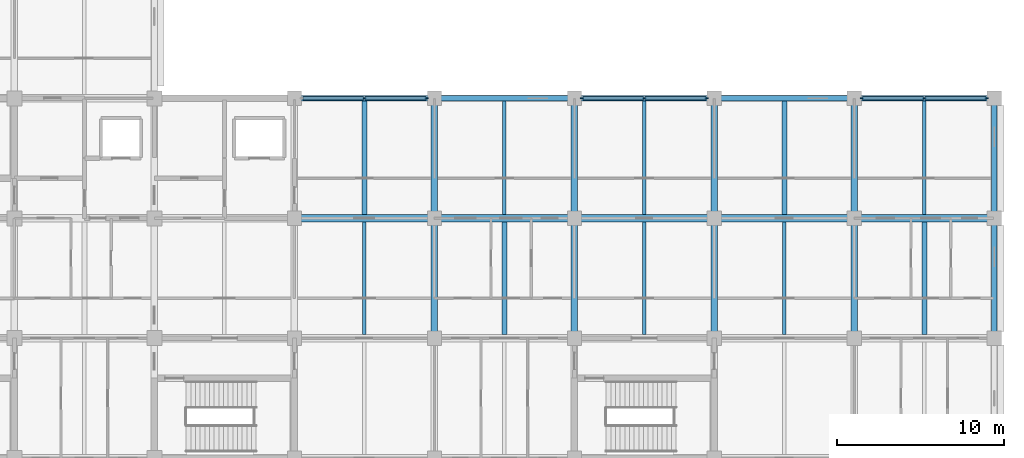
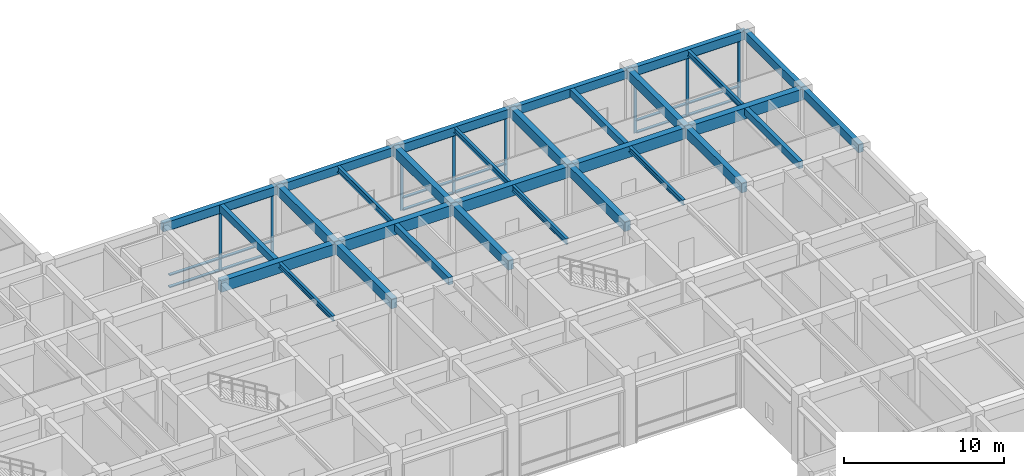
# One storey, part 28 of 68: 30 beams, 26 members, 3 elements without a shape of their own.
"""IFC4 building model written with IfcOpenShell, lengths in metres."""

from ifc_helpers import new_model, si_unit, direction, frame, origin, origin_2d, place, context, subcontext, project, spatial, rectangle, i_section, extrude, material, layer, layer_set, material_profile, profile_set, type_object, element, aggregate, save


model = new_model("IFC4")

# Units and contexts
model_context = context("Model", 3, precision=1e-05, world=origin(), true_north=direction((0.0, 1.0)))
body_context = subcontext(model_context, "Body", "Model", "MODEL_VIEW")
ifc_project = project(units=[si_unit("LENGTHUNIT", "METRE"), si_unit("AREAUNIT", "SQUARE_METRE"), si_unit("VOLUMEUNIT", "CUBIC_METRE"), si_unit("PLANEANGLEUNIT", "RADIAN"), si_unit("MASSUNIT", "GRAM", prefix="KILO")], contexts=[model_context])

# Site, building, storey
site_placement = place(None, origin())
site = spatial("IfcSite", under=ifc_project, at=site_placement, CompositionType="ELEMENT")
building_placement = place(site_placement, origin())
building = spatial("IfcBuilding", under=site, at=building_placement, Name="Chengyuan Square Courthouse", CompositionType="ELEMENT")
storey_placement = place(building_placement, frame((0.0, 0.0, 5.39990234375)))
storey = spatial("IfcBuildingStorey", under=building, at=storey_placement, Name="L02", CompositionType="ELEMENT", Elevation=5.39990234375)

# Beams
ifc_material_1 = material(Name="Concrete C40", Category="concrete")
ifc_material_profile_1 = material_profile(ifc_material_1, rectangle(XDim=0.449951171875, YDim=0.85009765625, at=origin_2d()), Name="RC-BM-450x850")
ifc_profile_set_1 = profile_set([ifc_material_profile_1], Name="Concrete C40")
beam_type_1 = type_object("IfcBeamType", Name="BM-01", PredefinedType="USERDEFINED", material=ifc_profile_set_1)
beam_1_placement = place(storey_placement, frame((126.0, 100.800048828125, 4.695068359375), z_axis=(1.0, 0.0, 0.0), x_axis=(0.0, 1.0, 0.0)))
element("IfcBeam", 1, at=beam_1_placement, inside=storey, type_object=beam_type_1, Name="Girder BM-L02-2194", ObjectType="GIRDER", PredefinedType="USERDEFINED", context=body_context, shape_type="SweptSolid", body=[
    extrude(rectangle(XDim=0.449951171875, YDim=0.85009765625, at=origin_2d()), origin(), (0.0, 0.0, 1.0), 8.39990234375),
])
beam_2_placement = place(storey_placement, frame((134.39990234375, 100.800048828125, 4.695068359375), z_axis=(1.0, 0.0, 0.0), x_axis=(0.0, 1.0, 0.0)))
element("IfcBeam", 2, at=beam_2_placement, inside=storey, type_object=beam_type_1, Name="Girder BM-L02-2195", ObjectType="GIRDER", PredefinedType="USERDEFINED", context=body_context, shape_type="SweptSolid", body=[
    extrude(rectangle(XDim=0.449951171875, YDim=0.85009765625, at=origin_2d()), origin(), (0.0, 0.0, 1.0), 8.400146484375),
])
beam_3_placement = place(storey_placement, frame((142.800048828125, 100.800048828125, 4.695068359375), z_axis=(1.0, 0.0, 0.0), x_axis=(0.0, 1.0, 0.0)))
element("IfcBeam", 3, at=beam_3_placement, inside=storey, type_object=beam_type_1, Name="Girder BM-L02-2196", ObjectType="GIRDER", PredefinedType="USERDEFINED", context=body_context, shape_type="SweptSolid", body=[
    extrude(rectangle(XDim=0.449951171875, YDim=0.85009765625, at=origin_2d()), origin(), (0.0, 0.0, 1.0), 8.39990234375),
])
beam_4_placement = place(storey_placement, frame((151.199951171875, 100.800048828125, 4.695068359375), z_axis=(1.0, 0.0, 0.0), x_axis=(0.0, 1.0, 0.0)))
element("IfcBeam", 4, at=beam_4_placement, inside=storey, type_object=beam_type_1, Name="Girder BM-L02-2197", ObjectType="GIRDER", PredefinedType="USERDEFINED", context=body_context, shape_type="SweptSolid", body=[
    extrude(rectangle(XDim=0.449951171875, YDim=0.85009765625, at=origin_2d()), origin(), (0.0, 0.0, 1.0), 8.400146484375),
])
beam_5_placement = place(storey_placement, frame((159.60009765625, 100.800048828125, 4.695068359375), z_axis=(1.0, 0.0, 0.0), x_axis=(0.0, 1.0, 0.0)))
element("IfcBeam", 5, at=beam_5_placement, inside=storey, type_object=beam_type_1, Name="Girder BM-L02-2198", ObjectType="GIRDER", PredefinedType="USERDEFINED", context=body_context, shape_type="SweptSolid", body=[
    extrude(rectangle(XDim=0.449951171875, YDim=0.85009765625, at=origin_2d()), origin(), (0.0, 0.0, 1.0), 8.39990234375),
])
ifc_material_profile_2 = material_profile(ifc_material_1, rectangle(XDim=0.39990234375, YDim=0.75, at=origin_2d()), Name="RC-BM-400x750")
ifc_profile_set_2 = profile_set([ifc_material_profile_2], Name="Concrete C40")
beam_type_2 = type_object("IfcBeamType", Name="BM-02", PredefinedType="USERDEFINED", material=ifc_profile_set_2)
for number, where, z_axis, x_axis, name in (
    (6, (134.39990234375, 93.60009765625, 4.7451171875), (0.0, 1.0, 0.0), (-1.0, 0.0, 0.0), "Girder BM-L02-2339"),
    (7, (134.39990234375, 100.800048828125, 4.7451171875), (0.0, 1.0, 0.0), (-1.0, 0.0, 0.0), "Girder BM-L02-2340"),
    (8, (142.800048828125, 93.60009765625, 4.7451171875), (0.0, 1.0, 0.0), (-1.0, 0.0, 0.0), "Girder BM-L02-2343"),
    (9, (142.800048828125, 100.800048828125, 4.7451171875), (0.0, 1.0, 0.0), (-1.0, 0.0, 0.0), "Girder BM-L02-2344"),
    (10, (151.199951171875, 93.60009765625, 4.7451171875), (0.0, 1.0, 0.0), (-1.0, 0.0, 0.0), "Girder BM-L02-2358"),
    (11, (151.199951171875, 100.800048828125, 4.7451171875), (0.0, 1.0, 0.0), (-1.0, 0.0, 0.0), "Girder BM-L02-2359"),
    (12, (159.60009765625, 93.60009765625, 4.7451171875), (0.0, 1.0, 0.0), (-1.0, 0.0, 0.0), "Girder BM-L02-2373"),
    (13, (159.60009765625, 100.800048828125, 4.7451171875), (0.0, 1.0, 0.0), (-1.0, 0.0, 0.0), "Girder BM-L02-2374"),
):
    element("IfcBeam", number, at=place(storey_placement, frame(where, z_axis=z_axis, x_axis=x_axis)), inside=storey, type_object=beam_type_2, Name=name, ObjectType="GIRDER", PredefinedType="USERDEFINED", context=body_context, shape_type="SweptSolid", body=[
        extrude(rectangle(XDim=0.39990234375, YDim=0.75, at=origin_2d()), origin(), (0.0, 0.0, 1.0), 7.199951171875),
    ])
ifc_material_profile_3 = material_profile(ifc_material_1, rectangle(XDim=0.35009765625, YDim=0.64990234375, at=origin_2d()), Name="RC-BM-350x650")
ifc_profile_set_3 = profile_set([ifc_material_profile_3], Name="Concrete C40")
beam_type_3 = type_object("IfcBeamType", Name="BM-03", PredefinedType="SPANDREL", material=ifc_profile_set_3)
beam_6_placement = place(storey_placement, frame((126.0, 108.0, 4.795166015625), z_axis=(1.0, 0.0, 0.0), x_axis=(0.0, 1.0, 0.0)))
element("IfcBeam", 14, at=beam_6_placement, inside=storey, type_object=beam_type_3, Name="Girder BM-L02-2214", PredefinedType="SPANDREL", context=body_context, shape_type="SweptSolid", body=[
    extrude(rectangle(XDim=0.35009765625, YDim=0.64990234375, at=origin_2d()), origin(), (0.0, 0.0, 1.0), 8.39990234375),
])
beam_7_placement = place(storey_placement, frame((134.39990234375, 108.0, 4.795166015625), z_axis=(1.0, 0.0, 0.0), x_axis=(0.0, 1.0, 0.0)))
element("IfcBeam", 15, at=beam_7_placement, inside=storey, type_object=beam_type_3, Name="Girder BM-L02-2215", PredefinedType="SPANDREL", context=body_context, shape_type="SweptSolid", body=[
    extrude(rectangle(XDim=0.35009765625, YDim=0.64990234375, at=origin_2d()), origin(), (0.0, 0.0, 1.0), 8.400146484375),
])
beam_8_placement = place(storey_placement, frame((142.800048828125, 108.0, 4.795166015625), z_axis=(1.0, 0.0, 0.0), x_axis=(0.0, 1.0, 0.0)))
element("IfcBeam", 16, at=beam_8_placement, inside=storey, type_object=beam_type_3, Name="Girder BM-L02-2216", PredefinedType="SPANDREL", context=body_context, shape_type="SweptSolid", body=[
    extrude(rectangle(XDim=0.35009765625, YDim=0.64990234375, at=origin_2d()), origin(), (0.0, 0.0, 1.0), 8.39990234375),
])
beam_9_placement = place(storey_placement, frame((151.199951171875, 108.0, 4.795166015625), z_axis=(1.0, 0.0, 0.0), x_axis=(0.0, 1.0, 0.0)))
element("IfcBeam", 17, at=beam_9_placement, inside=storey, type_object=beam_type_3, Name="Girder BM-L02-2217", PredefinedType="SPANDREL", context=body_context, shape_type="SweptSolid", body=[
    extrude(rectangle(XDim=0.35009765625, YDim=0.64990234375, at=origin_2d()), origin(), (0.0, 0.0, 1.0), 8.400146484375),
])
beam_10_placement = place(storey_placement, frame((159.60009765625, 108.0, 4.795166015625), z_axis=(1.0, 0.0, 0.0), x_axis=(0.0, 1.0, 0.0)))
element("IfcBeam", 18, at=beam_10_placement, inside=storey, type_object=beam_type_3, Name="Girder BM-L02-2218", PredefinedType="SPANDREL", context=body_context, shape_type="SweptSolid", body=[
    extrude(rectangle(XDim=0.35009765625, YDim=0.64990234375, at=origin_2d()), origin(), (0.0, 0.0, 1.0), 8.39990234375),
])
for number, where, z_axis, x_axis, name in (
    (19, (168.0, 93.60009765625, 4.795166015625), (0.0, 1.0, 0.0), (-1.0, 0.0, 0.0), "Girder BM-L02-2388"),
    (20, (168.0, 100.800048828125, 4.795166015625), (0.0, 1.0, 0.0), (-1.0, 0.0, 0.0), "Girder BM-L02-2389"),
):
    element("IfcBeam", number, at=place(storey_placement, frame(where, z_axis=z_axis, x_axis=x_axis)), inside=storey, type_object=beam_type_3, Name=name, PredefinedType="SPANDREL", context=body_context, shape_type="SweptSolid", body=[
        extrude(rectangle(XDim=0.35009765625, YDim=0.64990234375, at=origin_2d()), origin(), (0.0, 0.0, 1.0), 7.199951171875),
    ])
ifc_material_profile_4 = material_profile(ifc_material_1, rectangle(XDim=0.300048828125, YDim=0.550048828125, at=origin_2d()), Name="RC-BM-300x550")
ifc_profile_set_4 = profile_set([ifc_material_profile_4], Name="Concrete C40")
beam_type_4 = type_object("IfcBeamType", Name="BM-04", PredefinedType="BEAM", material=ifc_profile_set_4)
beam_11_placement = place(storey_placement, frame((130.199951171875, 101.02490234375, 4.84521484375), z_axis=(0.0, 1.0, 0.0), x_axis=(-1.0, 0.0, 0.0)))
element("IfcBeam", 21, at=beam_11_placement, inside=storey, type_object=beam_type_4, Name="Secondary Floor Beam SBM-L02-2471", PredefinedType="BEAM", context=body_context, shape_type="SweptSolid", body=[
    extrude(rectangle(XDim=0.300048828125, YDim=0.550048828125, at=origin_2d()), origin(), (0.0, 0.0, 1.0), 6.800048828125),
])
beam_12_placement = place(storey_placement, frame((138.60009765625, 93.824951171875, 4.84521484375), z_axis=(0.0, 1.0, 0.0), x_axis=(-1.0, 0.0, 0.0)))
element("IfcBeam", 22, at=beam_12_placement, inside=storey, type_object=beam_type_4, Name="Secondary Floor Beam SBM-L02-2474", PredefinedType="BEAM", context=body_context, shape_type="SweptSolid", body=[
    extrude(rectangle(XDim=0.300048828125, YDim=0.550048828125, at=origin_2d()), origin(), (0.0, 0.0, 1.0), 6.75),
])
beam_13_placement = place(storey_placement, frame((155.39990234375, 101.02490234375, 4.84521484375), z_axis=(0.0, 1.0, 0.0), x_axis=(-1.0, 0.0, 0.0)))
element("IfcBeam", 23, at=beam_13_placement, inside=storey, type_object=beam_type_4, Name="Secondary Floor Beam SBM-L02-2492", PredefinedType="BEAM", context=body_context, shape_type="SweptSolid", body=[
    extrude(rectangle(XDim=0.300048828125, YDim=0.550048828125, at=origin_2d()), origin(), (0.0, 0.0, 1.0), 6.800048828125),
])
beam_14_placement = place(storey_placement, frame((163.800048828125, 93.824951171875, 4.84521484375), z_axis=(0.0, 1.0, 0.0), x_axis=(-1.0, 0.0, 0.0)))
element("IfcBeam", 24, at=beam_14_placement, inside=storey, type_object=beam_type_4, Name="Secondary Floor Beam SBM-L02-2506", PredefinedType="BEAM", context=body_context, shape_type="SweptSolid", body=[
    extrude(rectangle(XDim=0.300048828125, YDim=0.550048828125, at=origin_2d()), origin(), (0.0, 0.0, 1.0), 6.75),
])
ifc_material_2 = material(Name="Steel Q355B", Category="steel")
ifc_material_profile_5 = material_profile(ifc_material_2, i_section(OverallWidth=0.199951171875, OverallDepth=0.449951171875, WebThickness=0.009033203125, FlangeThickness=0.013916015625, at=origin_2d()), Name="HN 450x200x9x14")
ifc_profile_set_5 = profile_set([ifc_material_profile_5], Name="Steel Q355B")
beam_type_5 = type_object("IfcBeamType", Name="BM-06", PredefinedType="BEAM", material=ifc_profile_set_5)
beam_15_placement = place(storey_placement, frame((138.60009765625, 101.02490234375, 4.89501953125), z_axis=(0.0, 1.0, 0.0), x_axis=(-1.0, 0.0, 0.0)))
element("IfcBeam", 25, at=beam_15_placement, inside=storey, type_object=beam_type_5, Name="Secondary Floor Beam SBM-L02-2475", PredefinedType="BEAM", context=body_context, shape_type="SweptSolid", body=[
    extrude(i_section(OverallWidth=0.199951171875, OverallDepth=0.449951171875, WebThickness=0.009033203125, FlangeThickness=0.013916015625, at=origin_2d()), origin(), (0.0, 0.0, 1.0), 6.800048828125),
])
beam_16_placement = place(storey_placement, frame((147.0, 93.824951171875, 4.89501953125), z_axis=(0.0, 1.0, 0.0), x_axis=(-1.0, 0.0, 0.0)))
element("IfcBeam", 26, at=beam_16_placement, inside=storey, type_object=beam_type_5, Name="Secondary Floor Beam SBM-L02-2477", PredefinedType="BEAM", context=body_context, shape_type="SweptSolid", body=[
    extrude(i_section(OverallWidth=0.199951171875, OverallDepth=0.449951171875, WebThickness=0.009033203125, FlangeThickness=0.013916015625, at=origin_2d()), origin(), (0.0, 0.0, 1.0), 6.75),
])
beam_17_placement = place(storey_placement, frame((163.800048828125, 101.02490234375, 4.89501953125), z_axis=(0.0, 1.0, 0.0), x_axis=(-1.0, 0.0, 0.0)))
element("IfcBeam", 27, at=beam_17_placement, inside=storey, type_object=beam_type_5, Name="Secondary Floor Beam SBM-L02-2507", PredefinedType="BEAM", context=body_context, shape_type="SweptSolid", body=[
    extrude(i_section(OverallWidth=0.199951171875, OverallDepth=0.449951171875, WebThickness=0.009033203125, FlangeThickness=0.013916015625, at=origin_2d()), origin(), (0.0, 0.0, 1.0), 6.800048828125),
])
ifc_material_profile_6 = material_profile(ifc_material_2, i_section(OverallWidth=0.199951171875, OverallDepth=0.39990234375, WebThickness=0.008056640625, FlangeThickness=0.012939453125, at=origin_2d()), Name="HN 400x200x8x13")
ifc_profile_set_6 = profile_set([ifc_material_profile_6], Name="Steel Q355B")
beam_type_6 = type_object("IfcBeamType", Name="BM-07", PredefinedType="BEAM", material=ifc_profile_set_6)
beam_18_placement = place(storey_placement, frame((130.199951171875, 93.824951171875, 4.920166015625), z_axis=(0.0, 1.0, 0.0), x_axis=(-1.0, 0.0, 0.0)))
element("IfcBeam", 28, at=beam_18_placement, inside=storey, type_object=beam_type_6, Name="Secondary Floor Beam SBM-L02-2470", PredefinedType="BEAM", context=body_context, shape_type="SweptSolid", body=[
    extrude(i_section(OverallWidth=0.199951171875, OverallDepth=0.39990234375, WebThickness=0.008056640625, FlangeThickness=0.012939453125, at=origin_2d()), origin(), (0.0, 0.0, 1.0), 6.75),
])
beam_19_placement = place(storey_placement, frame((147.0, 101.02490234375, 4.920166015625), z_axis=(0.0, 1.0, 0.0), x_axis=(-1.0, 0.0, 0.0)))
element("IfcBeam", 29, at=beam_19_placement, inside=storey, type_object=beam_type_6, Name="Secondary Floor Beam SBM-L02-2478", PredefinedType="BEAM", context=body_context, shape_type="SweptSolid", body=[
    extrude(i_section(OverallWidth=0.199951171875, OverallDepth=0.39990234375, WebThickness=0.008056640625, FlangeThickness=0.012939453125, at=origin_2d()), origin(), (0.0, 0.0, 1.0), 6.800048828125),
])
beam_20_placement = place(storey_placement, frame((155.39990234375, 93.824951171875, 4.920166015625), z_axis=(0.0, 1.0, 0.0), x_axis=(-1.0, 0.0, 0.0)))
element("IfcBeam", 30, at=beam_20_placement, inside=storey, type_object=beam_type_6, Name="Secondary Floor Beam SBM-L02-2491", PredefinedType="BEAM", context=body_context, shape_type="SweptSolid", body=[
    extrude(i_section(OverallWidth=0.199951171875, OverallDepth=0.39990234375, WebThickness=0.008056640625, FlangeThickness=0.012939453125, at=origin_2d()), origin(), (0.0, 0.0, 1.0), 6.75),
])

# Curtain wall, members
ifc_material_3 = material(Name="Unitised Aluminium and Triple Low-E Glass", Category="aluminium")
ifc_layer = layer(ifc_material_3, 0.219970703125)
ifc_layer_set = layer_set([ifc_layer], Name="Unitised Aluminium and Triple Low-E Glass")
curtain_wall_type = type_object("IfcCurtainWallType", Name="CW-04", PredefinedType="USERDEFINED", material=ifc_layer_set)
curtain_wall_1_placement = place(storey_placement, origin())
curtain_wall_1 = element("IfcCurtainWall", 31, at=curtain_wall_1_placement, inside=storey, type_object=curtain_wall_type, Name="Unitised Curtain Wall CW-L02-073", ObjectType="UNITISED CURTAIN WALL", PredefinedType="USERDEFINED")
ifc_material_4 = material(Name="Aluminium 6063-T6 Frame", Category="aluminium")
ifc_material_profile_7 = material_profile(ifc_material_4, rectangle(XDim=0.080078125, YDim=0.219970703125, at=origin_2d()), Name="CW-MUL-80x220")
ifc_profile_set_7 = profile_set([ifc_material_profile_7], Name="Aluminium 6063-T6 Frame")
member_type_1 = type_object("IfcMemberType", Name="CWM-04", PredefinedType="MULLION", material=ifc_profile_set_7)
member_1_placement = place(storey_placement, frame((130.199951171875, 108.0, 0.0), z_axis=(0.0, 0.0, 1.0), x_axis=(0.0, 1.0, 0.0)))
member_1 = element("IfcMember", 32, at=member_1_placement, type_object=member_type_1, Name="CW-04 mullion 2", PredefinedType="MULLION", context=body_context, shape_type="SweptSolid", body=[
    extrude(rectangle(XDim=0.080078125, YDim=0.219970703125, at=origin_2d()), origin(), (0.0, 0.0, 1.0), 4.47021484375),
])
member_2_placement = place(storey_placement, frame((133.93505859375, 108.0, 0.0), z_axis=(0.0, 0.0, 1.0), x_axis=(0.0, 1.0, 0.0)))
member_2 = element("IfcMember", 33, at=member_2_placement, type_object=member_type_1, Name="CW-04 mullion 3", PredefinedType="MULLION", context=body_context, shape_type="SweptSolid", body=[
    extrude(rectangle(XDim=0.080078125, YDim=0.219970703125, at=origin_2d()), origin(), (0.0, 0.0, 1.0), 4.47021484375),
])

curtain_wall_2_placement = place(storey_placement, origin())
curtain_wall_2 = element("IfcCurtainWall", 34, at=curtain_wall_2_placement, inside=storey, type_object=curtain_wall_type, Name="Unitised Curtain Wall CW-L02-076", ObjectType="UNITISED CURTAIN WALL", PredefinedType="USERDEFINED")
member_3_placement = place(storey_placement, frame((143.264892578125, 108.0, 0.0), z_axis=(0.0, 0.0, 1.0), x_axis=(0.0, 1.0, 0.0)))
member_3 = element("IfcMember", 35, at=member_3_placement, type_object=member_type_1, Name="CW-04 mullion 1", PredefinedType="MULLION", context=body_context, shape_type="SweptSolid", body=[
    extrude(rectangle(XDim=0.080078125, YDim=0.219970703125, at=origin_2d()), origin(), (0.0, 0.0, 1.0), 4.47021484375),
])
member_4_placement = place(storey_placement, frame((147.0, 108.0, 0.0), z_axis=(0.0, 0.0, 1.0), x_axis=(0.0, 1.0, 0.0)))
member_4 = element("IfcMember", 36, at=member_4_placement, type_object=member_type_1, Name="CW-04 mullion 2", PredefinedType="MULLION", context=body_context, shape_type="SweptSolid", body=[
    extrude(rectangle(XDim=0.080078125, YDim=0.219970703125, at=origin_2d()), origin(), (0.0, 0.0, 1.0), 4.47021484375),
])
member_5_placement = place(storey_placement, frame((150.735107421875, 108.0, 0.0), z_axis=(0.0, 0.0, 1.0), x_axis=(0.0, 1.0, 0.0)))
member_5 = element("IfcMember", 37, at=member_5_placement, type_object=member_type_1, Name="CW-04 mullion 3", PredefinedType="MULLION", context=body_context, shape_type="SweptSolid", body=[
    extrude(rectangle(XDim=0.080078125, YDim=0.219970703125, at=origin_2d()), origin(), (0.0, 0.0, 1.0), 4.47021484375),
])

curtain_wall_3_placement = place(storey_placement, origin())
curtain_wall_3 = element("IfcCurtainWall", 38, at=curtain_wall_3_placement, inside=storey, type_object=curtain_wall_type, Name="Unitised Curtain Wall CW-L02-088", ObjectType="UNITISED CURTAIN WALL", PredefinedType="USERDEFINED")
member_6_placement = place(storey_placement, frame((160.06494140625, 108.0, 0.0), z_axis=(0.0, 0.0, 1.0), x_axis=(0.0, 1.0, 0.0)))
member_6 = element("IfcMember", 39, at=member_6_placement, type_object=member_type_1, Name="CW-04 mullion 1", PredefinedType="MULLION", context=body_context, shape_type="SweptSolid", body=[
    extrude(rectangle(XDim=0.080078125, YDim=0.219970703125, at=origin_2d()), origin(), (0.0, 0.0, 1.0), 4.47021484375),
])
member_7_placement = place(storey_placement, frame((163.800048828125, 108.0, 0.0), z_axis=(0.0, 0.0, 1.0), x_axis=(0.0, 1.0, 0.0)))
member_7 = element("IfcMember", 40, at=member_7_placement, type_object=member_type_1, Name="CW-04 mullion 2", PredefinedType="MULLION", context=body_context, shape_type="SweptSolid", body=[
    extrude(rectangle(XDim=0.080078125, YDim=0.219970703125, at=origin_2d()), origin(), (0.0, 0.0, 1.0), 4.47021484375),
])
member_8_placement = place(storey_placement, frame((167.534912109375, 108.0, 0.0), z_axis=(0.0, 0.0, 1.0), x_axis=(0.0, 1.0, 0.0)))
member_8 = element("IfcMember", 41, at=member_8_placement, type_object=member_type_1, Name="CW-04 mullion 3", PredefinedType="MULLION", context=body_context, shape_type="SweptSolid", body=[
    extrude(rectangle(XDim=0.080078125, YDim=0.219970703125, at=origin_2d()), origin(), (0.0, 0.0, 1.0), 4.47021484375),
])

# Member
ifc_material_profile_8 = material_profile(ifc_material_4, rectangle(XDim=0.219970703125, YDim=0.080078125, at=origin_2d()), Name="CW-TRN-80x180")
ifc_profile_set_8 = profile_set([ifc_material_profile_8], Name="Aluminium 6063-T6 Frame")
member_type_2 = type_object("IfcMemberType", Name="CWT-04", PredefinedType="USERDEFINED", material=ifc_profile_set_8)
member_9_placement = place(storey_placement, frame((126.5048828125, 108.0, 0.0400390625), z_axis=(1.0, 0.0, 0.0), x_axis=(0.0, 1.0, 0.0)))
member_9 = element("IfcMember", 42, at=member_9_placement, type_object=member_type_2, Name="CW-04 transom 1.1", ObjectType="TRANSOM", PredefinedType="USERDEFINED", context=body_context, shape_type="SweptSolid", body=[
    extrude(rectangle(XDim=0.219970703125, YDim=0.080078125, at=origin_2d()), origin(), (0.0, 0.0, 1.0), 3.655029296875),
])

member_10_placement = place(storey_placement, frame((126.5048828125, 108.0, 0.9501953125), z_axis=(1.0, 0.0, 0.0), x_axis=(0.0, 1.0, 0.0)))
member_10 = element("IfcMember", 43, at=member_10_placement, type_object=member_type_2, Name="CW-04 transom 1.2", ObjectType="TRANSOM", PredefinedType="USERDEFINED", context=body_context, shape_type="SweptSolid", body=[
    extrude(rectangle(XDim=0.219970703125, YDim=0.080078125, at=origin_2d()), origin(), (0.0, 0.0, 1.0), 3.655029296875),
])

member_11_placement = place(storey_placement, frame((126.5048828125, 108.0, 4.43017578125), z_axis=(1.0, 0.0, 0.0), x_axis=(0.0, 1.0, 0.0)))
member_11 = element("IfcMember", 44, at=member_11_placement, type_object=member_type_2, Name="CW-04 transom 1.3", ObjectType="TRANSOM", PredefinedType="USERDEFINED", context=body_context, shape_type="SweptSolid", body=[
    extrude(rectangle(XDim=0.219970703125, YDim=0.080078125, at=origin_2d()), origin(), (0.0, 0.0, 1.0), 3.655029296875),
])

member_12_placement = place(storey_placement, frame((130.239990234375, 108.0, 0.0400390625), z_axis=(1.0, 0.0, 0.0), x_axis=(0.0, 1.0, 0.0)))
member_12 = element("IfcMember", 45, at=member_12_placement, type_object=member_type_2, Name="CW-04 transom 2.1", ObjectType="TRANSOM", PredefinedType="USERDEFINED", context=body_context, shape_type="SweptSolid", body=[
    extrude(rectangle(XDim=0.219970703125, YDim=0.080078125, at=origin_2d()), origin(), (0.0, 0.0, 1.0), 3.655029296875),
])

member_13_placement = place(storey_placement, frame((130.239990234375, 108.0, 0.9501953125), z_axis=(1.0, 0.0, 0.0), x_axis=(0.0, 1.0, 0.0)))
member_13 = element("IfcMember", 46, at=member_13_placement, type_object=member_type_2, Name="CW-04 transom 2.2", ObjectType="TRANSOM", PredefinedType="USERDEFINED", context=body_context, shape_type="SweptSolid", body=[
    extrude(rectangle(XDim=0.219970703125, YDim=0.080078125, at=origin_2d()), origin(), (0.0, 0.0, 1.0), 3.655029296875),
])

member_14_placement = place(storey_placement, frame((130.239990234375, 108.0, 4.43017578125), z_axis=(1.0, 0.0, 0.0), x_axis=(0.0, 1.0, 0.0)))
member_14 = element("IfcMember", 47, at=member_14_placement, type_object=member_type_2, Name="CW-04 transom 2.3", ObjectType="TRANSOM", PredefinedType="USERDEFINED", context=body_context, shape_type="SweptSolid", body=[
    extrude(rectangle(XDim=0.219970703125, YDim=0.080078125, at=origin_2d()), origin(), (0.0, 0.0, 1.0), 3.655029296875),
])

aggregate(curtain_wall_1, [member_1, member_2, member_9, member_10, member_11, member_12, member_13, member_14])

member_15_placement = place(storey_placement, frame((143.304931640625, 108.0, 0.0400390625), z_axis=(1.0, 0.0, 0.0), x_axis=(0.0, 1.0, 0.0)))
member_15 = element("IfcMember", 48, at=member_15_placement, type_object=member_type_2, Name="CW-04 transom 1.1", ObjectType="TRANSOM", PredefinedType="USERDEFINED", context=body_context, shape_type="SweptSolid", body=[
    extrude(rectangle(XDim=0.219970703125, YDim=0.080078125, at=origin_2d()), origin(), (0.0, 0.0, 1.0), 3.655029296875),
])

member_16_placement = place(storey_placement, frame((143.304931640625, 108.0, 0.9501953125), z_axis=(1.0, 0.0, 0.0), x_axis=(0.0, 1.0, 0.0)))
member_16 = element("IfcMember", 49, at=member_16_placement, type_object=member_type_2, Name="CW-04 transom 1.2", ObjectType="TRANSOM", PredefinedType="USERDEFINED", context=body_context, shape_type="SweptSolid", body=[
    extrude(rectangle(XDim=0.219970703125, YDim=0.080078125, at=origin_2d()), origin(), (0.0, 0.0, 1.0), 3.655029296875),
])

member_17_placement = place(storey_placement, frame((143.304931640625, 108.0, 4.43017578125), z_axis=(1.0, 0.0, 0.0), x_axis=(0.0, 1.0, 0.0)))
member_17 = element("IfcMember", 50, at=member_17_placement, type_object=member_type_2, Name="CW-04 transom 1.3", ObjectType="TRANSOM", PredefinedType="USERDEFINED", context=body_context, shape_type="SweptSolid", body=[
    extrude(rectangle(XDim=0.219970703125, YDim=0.080078125, at=origin_2d()), origin(), (0.0, 0.0, 1.0), 3.655029296875),
])

member_18_placement = place(storey_placement, frame((147.0400390625, 108.0, 0.0400390625), z_axis=(1.0, 0.0, 0.0), x_axis=(0.0, 1.0, 0.0)))
member_18 = element("IfcMember", 51, at=member_18_placement, type_object=member_type_2, Name="CW-04 transom 2.1", ObjectType="TRANSOM", PredefinedType="USERDEFINED", context=body_context, shape_type="SweptSolid", body=[
    extrude(rectangle(XDim=0.219970703125, YDim=0.080078125, at=origin_2d()), origin(), (0.0, 0.0, 1.0), 3.655029296875),
])

member_19_placement = place(storey_placement, frame((147.0400390625, 108.0, 0.9501953125), z_axis=(1.0, 0.0, 0.0), x_axis=(0.0, 1.0, 0.0)))
member_19 = element("IfcMember", 52, at=member_19_placement, type_object=member_type_2, Name="CW-04 transom 2.2", ObjectType="TRANSOM", PredefinedType="USERDEFINED", context=body_context, shape_type="SweptSolid", body=[
    extrude(rectangle(XDim=0.219970703125, YDim=0.080078125, at=origin_2d()), origin(), (0.0, 0.0, 1.0), 3.655029296875),
])

member_20_placement = place(storey_placement, frame((147.0400390625, 108.0, 4.43017578125), z_axis=(1.0, 0.0, 0.0), x_axis=(0.0, 1.0, 0.0)))
member_20 = element("IfcMember", 53, at=member_20_placement, type_object=member_type_2, Name="CW-04 transom 2.3", ObjectType="TRANSOM", PredefinedType="USERDEFINED", context=body_context, shape_type="SweptSolid", body=[
    extrude(rectangle(XDim=0.219970703125, YDim=0.080078125, at=origin_2d()), origin(), (0.0, 0.0, 1.0), 3.655029296875),
])

aggregate(curtain_wall_2, [member_3, member_4, member_5, member_15, member_16, member_17, member_18, member_19, member_20])

member_21_placement = place(storey_placement, frame((160.10498046875, 108.0, 0.0400390625), z_axis=(1.0, 0.0, 0.0), x_axis=(0.0, 1.0, 0.0)))
member_21 = element("IfcMember", 54, at=member_21_placement, type_object=member_type_2, Name="CW-04 transom 1.1", ObjectType="TRANSOM", PredefinedType="USERDEFINED", context=body_context, shape_type="SweptSolid", body=[
    extrude(rectangle(XDim=0.219970703125, YDim=0.080078125, at=origin_2d()), origin(), (0.0, 0.0, 1.0), 3.655029296875),
])

member_22_placement = place(storey_placement, frame((160.10498046875, 108.0, 0.9501953125), z_axis=(1.0, 0.0, 0.0), x_axis=(0.0, 1.0, 0.0)))
member_22 = element("IfcMember", 55, at=member_22_placement, type_object=member_type_2, Name="CW-04 transom 1.2", ObjectType="TRANSOM", PredefinedType="USERDEFINED", context=body_context, shape_type="SweptSolid", body=[
    extrude(rectangle(XDim=0.219970703125, YDim=0.080078125, at=origin_2d()), origin(), (0.0, 0.0, 1.0), 3.655029296875),
])

member_23_placement = place(storey_placement, frame((160.10498046875, 108.0, 4.43017578125), z_axis=(1.0, 0.0, 0.0), x_axis=(0.0, 1.0, 0.0)))
member_23 = element("IfcMember", 56, at=member_23_placement, type_object=member_type_2, Name="CW-04 transom 1.3", ObjectType="TRANSOM", PredefinedType="USERDEFINED", context=body_context, shape_type="SweptSolid", body=[
    extrude(rectangle(XDim=0.219970703125, YDim=0.080078125, at=origin_2d()), origin(), (0.0, 0.0, 1.0), 3.655029296875),
])

member_24_placement = place(storey_placement, frame((163.840087890625, 108.0, 0.0400390625), z_axis=(1.0, 0.0, 0.0), x_axis=(0.0, 1.0, 0.0)))
member_24 = element("IfcMember", 57, at=member_24_placement, type_object=member_type_2, Name="CW-04 transom 2.1", ObjectType="TRANSOM", PredefinedType="USERDEFINED", context=body_context, shape_type="SweptSolid", body=[
    extrude(rectangle(XDim=0.219970703125, YDim=0.080078125, at=origin_2d()), origin(), (0.0, 0.0, 1.0), 3.655029296875),
])

member_25_placement = place(storey_placement, frame((163.840087890625, 108.0, 0.9501953125), z_axis=(1.0, 0.0, 0.0), x_axis=(0.0, 1.0, 0.0)))
member_25 = element("IfcMember", 58, at=member_25_placement, type_object=member_type_2, Name="CW-04 transom 2.2", ObjectType="TRANSOM", PredefinedType="USERDEFINED", context=body_context, shape_type="SweptSolid", body=[
    extrude(rectangle(XDim=0.219970703125, YDim=0.080078125, at=origin_2d()), origin(), (0.0, 0.0, 1.0), 3.655029296875),
])

member_26_placement = place(storey_placement, frame((163.840087890625, 108.0, 4.43017578125), z_axis=(1.0, 0.0, 0.0), x_axis=(0.0, 1.0, 0.0)))
member_26 = element("IfcMember", 59, at=member_26_placement, type_object=member_type_2, Name="CW-04 transom 2.3", ObjectType="TRANSOM", PredefinedType="USERDEFINED", context=body_context, shape_type="SweptSolid", body=[
    extrude(rectangle(XDim=0.219970703125, YDim=0.080078125, at=origin_2d()), origin(), (0.0, 0.0, 1.0), 3.655029296875),
])

aggregate(curtain_wall_3, [member_6, member_7, member_8, member_21, member_22, member_23, member_24, member_25, member_26])

save(model, "model.ifc")
